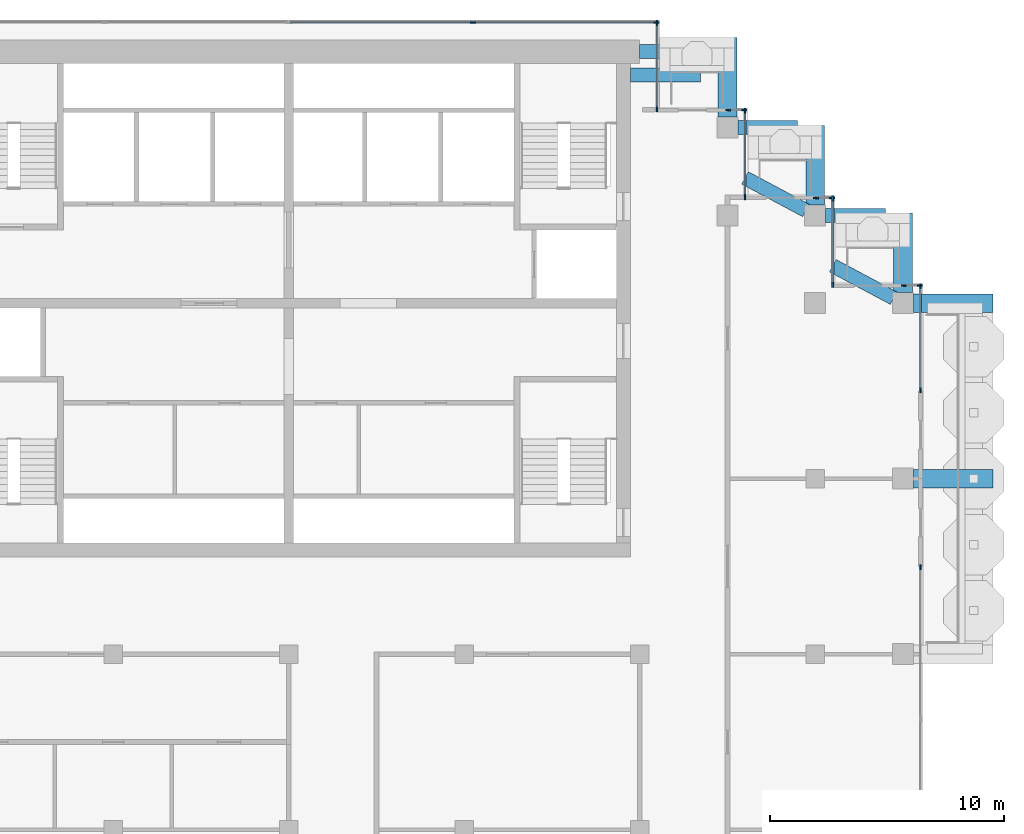
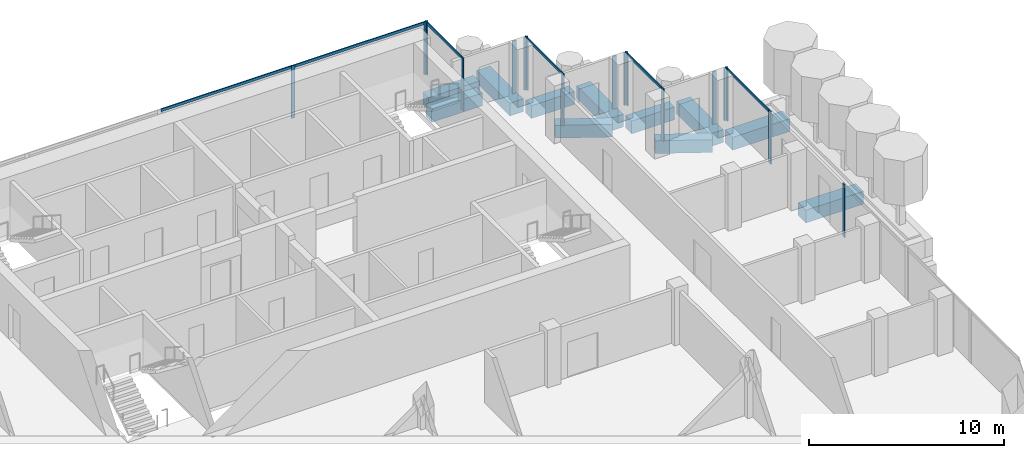
# One storey, part 6 of 18: 23 members, 11 beams, 9 elements without a shape of their own.
"""IFC4 building model written with IfcOpenShell, lengths in metres."""

import ifcopenshell
import ifcopenshell.guid

model = None  # the IFC model being written
_history = None  # IfcOwnerHistory: only IFC2X3 demands one
_inside = {}  # id of a spatial element -> (the spatial element, [elements in it])
_under = {}  # id of a project, library or spatial element -> (it, [spatial elements below it])
_declared = {}  # id of a project -> (the project, [libraries it declares])
_typed = {}  # id of a type object -> (the type object, [elements of that type])
_made_of = {}  # id of a material, layer set ... -> (it, [elements and type objects made of it])


def new_model(schema):
    """Start an empty IFC model of exactly this schema.

    Asked for "IFC4X3", IfcOpenShell would pick the latest addendum, in which some entities
    have other attributes; the version numbers below select the first issue.
    IFC2X3 requires an IfcOwnerHistory on every rooted entity: one is made here for all.
    """
    global model, _history
    if schema == "IFC4X3":
        model = ifcopenshell.file(schema_version=(4, 3, 0, 0))
    else:
        model = ifcopenshell.file(schema=schema)
    _inside.clear()
    _under.clear()
    _declared.clear()
    _typed.clear()
    _made_of.clear()
    _history = None
    if model.schema == "IFC2X3":
        org = make("IfcOrganization", Name="unknown")
        user = make(
            "IfcPersonAndOrganization",
            ThePerson=make("IfcPerson", FamilyName="unknown"),
            TheOrganization=org,
        )
        app = make(
            "IfcApplication",
            ApplicationDeveloper=org,
            Version="unknown",
            ApplicationFullName="unknown",
            ApplicationIdentifier="unknown",
        )
        _history = make(
            "IfcOwnerHistory",
            OwningUser=user,
            OwningApplication=app,
            ChangeAction="ADDED",
            CreationDate=0,
        )
    return model


def make(cls, **values):
    """One entity of the class cls with the attributes given. An attribute that is None is left unset."""
    return model.create_entity(
        cls, **{name: value for name, value in values.items() if value is not None}
    )


def rooted(cls, **values):
    """An entity with a GlobalId (a new one), such as an element, a storey or a relation."""
    return make(cls, GlobalId=ifcopenshell.guid.new(), OwnerHistory=_history, **values)


def si_unit(unit_type, name, prefix=None):
    """IfcSIUnit, for example si_unit("LENGTHUNIT", "METRE", prefix="MILLI")."""
    return make("IfcSIUnit", UnitType=unit_type, Prefix=prefix, Name=name)


def assignment(units):
    """IfcUnitAssignment: the units of a project."""
    return None if units is None else make("IfcUnitAssignment", Units=units)


def point(xyz):
    """IfcCartesianPoint."""
    return None if xyz is None else make("IfcCartesianPoint", Coordinates=xyz)


def direction(xyz):
    """IfcDirection."""
    return None if xyz is None else make("IfcDirection", DirectionRatios=xyz)


def frame(location, z_axis=None, x_axis=None):
    """IfcAxis2Placement3D, a coordinate frame: its origin and axes. An axis left out is left unset."""
    return make(
        "IfcAxis2Placement3D",
        Location=point(location),
        Axis=direction(z_axis),
        RefDirection=direction(x_axis),
    )


def frame_2d(location, x_axis=None):
    """IfcAxis2Placement2D, a coordinate frame in the plane: its origin and x axis."""
    return make(
        "IfcAxis2Placement2D", Location=point(location), RefDirection=direction(x_axis)
    )


def origin():
    """The frame at (0, 0, 0) with its axes left unset."""
    return frame((0.0, 0.0, 0.0))


def origin_2d():
    """The frame at (0, 0) in the plane with its x axis left unset."""
    return frame_2d((0.0, 0.0))


def place(relative_to, where):
    """IfcLocalPlacement: puts the frame where relative to a parent placement (None: the world)."""
    return make(
        "IfcLocalPlacement", PlacementRelTo=relative_to, RelativePlacement=where
    )


def context(
    kind, dimensions, precision=None, world=None, true_north=None, identifier=None
):
    """IfcGeometricRepresentationContext, for example the 3D "Model" context."""
    return make(
        "IfcGeometricRepresentationContext",
        ContextIdentifier=identifier,
        ContextType=kind,
        CoordinateSpaceDimension=dimensions,
        Precision=precision,
        WorldCoordinateSystem=world,
        TrueNorth=true_north,
    )


def subcontext(parent, identifier, kind, view, scale=None):
    """IfcGeometricRepresentationSubContext, for example "Body" below "Model"."""
    return make(
        "IfcGeometricRepresentationSubContext",
        ContextIdentifier=identifier,
        ContextType=kind,
        ParentContext=parent,
        TargetScale=scale,
        TargetView=view,
    )


def project(units=None, contexts=None):
    """IfcProject with its units and contexts."""
    return rooted(
        "IfcProject",
        Name="project",
        RepresentationContexts=contexts,
        UnitsInContext=assignment(units),
    )


def spatial(cls, under=None, at=None, **own):
    """A site, building, storey or space (cls), placed at a placement, below another one or the project."""
    s = rooted(cls, ObjectPlacement=at, **own)
    if under is not None:
        _under.setdefault(under.id(), (under, []))[1].append(s)
    return s


def profile(cls, at=None, kind="AREA", **sizes):
    """A parametric profile (cls). Its sizes go by their IFC names, for example OverallWidth=200.0."""
    return make(cls, ProfileType=kind, Position=at, **sizes)


def rectangle(**sizes):
    """IfcRectangleProfileDef."""
    return profile("IfcRectangleProfileDef", **sizes)


def extrude(swept, where, along, depth):
    """IfcExtrudedAreaSolid: the profile swept, set in the frame where, extruded along a direction by depth."""
    return make(
        "IfcExtrudedAreaSolid",
        SweptArea=swept,
        Position=where,
        ExtrudedDirection=direction(along),
        Depth=depth,
    )


def shape(context_of_items, identifier, shape_type, items):
    """IfcShapeRepresentation: the items that make up one representation, for example the "Body"."""
    return make(
        "IfcShapeRepresentation",
        ContextOfItems=context_of_items,
        RepresentationIdentifier=identifier,
        RepresentationType=shape_type,
        Items=items,
    )


def material(Name=None, Category=None):
    """IfcMaterial."""
    return make("IfcMaterial", Name=Name, Category=Category)


def material_profile(
    of_material, cross_section, Name=None, Category=None, Priority=None
):
    """IfcMaterialProfile: a cross section and its material."""
    return make(
        "IfcMaterialProfile",
        Name=Name,
        Material=of_material,
        Profile=cross_section,
        Priority=Priority,
        Category=Category,
    )


def profile_set(profiles, Name=None, composite=None):
    """IfcMaterialProfileSet."""
    return make(
        "IfcMaterialProfileSet",
        Name=Name,
        MaterialProfiles=profiles,
        CompositeProfile=composite,
    )


def made_of(thing, what):
    """Note that an element or type object is made of a material, layer set ...; save() writes the relation."""
    if what is not None:
        _made_of.setdefault(what.id(), (what, []))[1].append(thing)
    return thing


def type_object(cls, material=None, **own):
    """A type object (cls), such as IfcWallType, which elements share."""
    return made_of(rooted(cls, **own), material)


def element(
    cls,
    number,
    at=None,
    inside=None,
    cuts=None,
    type_object=None,
    material=None,
    context=None,
    identifier="Body",
    shape_type=None,
    held_by="IfcProductDefinitionShape",
    body=None,
    shapes=None,
    **own,
):
    """One element of the class cls, such as IfcWall. Its Tag is "e" and its number.

    at: its placement. inside: the storey or other place that contains it. cuts: it is an
    opening in that element (IfcRelVoidsElement). A single representation is given by context,
    identifier, shape_type and body (its items); several are given by shapes. held_by: the class
    of the entity that holds the representations. save() writes the other relations.
    """
    e = rooted(cls, Tag="e%d" % number, ObjectPlacement=at, **own)
    if body is not None:
        shapes = [shape(context, identifier, shape_type, body)]
    if shapes is not None:
        e.Representation = make(held_by, Representations=shapes)
    if inside is not None:
        _inside.setdefault(inside.id(), (inside, []))[1].append(e)
    if cuts is not None:
        rooted(
            "IfcRelVoidsElement", RelatingBuildingElement=cuts, RelatedOpeningElement=e
        )
    if type_object is not None:
        _typed.setdefault(type_object.id(), (type_object, []))[1].append(e)
    return made_of(e, material)


def aggregate(whole, parts):
    """IfcRelAggregates: a whole, such as a stair, and the parts it consists of."""
    return rooted("IfcRelAggregates", RelatingObject=whole, RelatedObjects=parts)


def save(model, path):
    """Write the relations noted so far, then the file.

    IfcRelAggregates (storeys below a building ...), IfcRelContainedInSpatialStructure (elements
    in a storey), IfcRelDefinesByType, IfcRelAssociatesMaterial and IfcRelDeclares: one each for
    every whole, place, type object, material and project.
    """
    for whole, parts in _under.values():
        aggregate(whole, parts)
    for where, things in _inside.values():
        rooted(
            "IfcRelContainedInSpatialStructure",
            RelatedElements=things,
            RelatingStructure=where,
        )
    for kind, things in _typed.values():
        rooted("IfcRelDefinesByType", RelatedObjects=things, RelatingType=kind)
    for what, things in _made_of.values():
        rooted("IfcRelAssociatesMaterial", RelatedObjects=things, RelatingMaterial=what)
    for by, libraries in _declared.values():
        rooted("IfcRelDeclares", RelatingContext=by, RelatedDefinitions=libraries)
    model.write(path)


model = new_model("IFC4")

# Units and contexts
model_context = context("Model", 3, precision=1e-05, world=origin(), true_north=direction((0.0, 1.0)))
body_context = subcontext(model_context, "Body", "Model", "MODEL_VIEW")
ifc_project = project(units=[si_unit("LENGTHUNIT", "METRE"), si_unit("AREAUNIT", "SQUARE_METRE"), si_unit("VOLUMEUNIT", "CUBIC_METRE"), si_unit("PLANEANGLEUNIT", "RADIAN"), si_unit("MASSUNIT", "GRAM", prefix="KILO")], contexts=[model_context])

# Site, building, storey
site_placement = place(None, origin())
site = spatial("IfcSite", under=ifc_project, at=site_placement, CompositionType="ELEMENT")
building_placement = place(site_placement, origin())
building = spatial("IfcBuilding", under=site, at=building_placement, Name="Pilkhan Gate Tower", CompositionType="ELEMENT")
storey_placement = place(building_placement, frame((0.0, 0.0, 231.89990234375)))
storey = spatial("IfcBuildingStorey", under=building, at=storey_placement, Name="L60", CompositionType="ELEMENT", Elevation=231.89990234375)

# Beams
ifc_material_1 = material(Name="Concrete C50/60", Category="concrete")
ifc_material_profile_1 = material_profile(ifc_material_1, rectangle(XDim=0.60009765625, YDim=0.800048828125, at=origin_2d()), Name="RC 600x800")
ifc_profile_set_1 = profile_set([ifc_material_profile_1], Name="Concrete C50/60")
beam_type_1 = type_object("IfcBeamType", Name="Cantilever beam CB1 RC 600x800 C50/60", PredefinedType="BEAM", material=ifc_profile_set_1)
for number, where, z_axis, x_axis, name in (
    (1, (90.0, 93.25, -0.699951171875), (1.0, 0.0, 0.0), (0.0, 1.0, 0.0), "Balcony beam NE.2 L60"),
    (2, (89.60009765625, 92.25, -0.699951171875), (1.0, 0.0, 0.0), (0.0, 1.0, 0.0), "Balcony beam NE.3 L60"),
):
    element("IfcBeam", number, at=place(storey_placement, frame(where, z_axis=z_axis, x_axis=x_axis)), inside=storey, type_object=beam_type_1, Name=name, PredefinedType="BEAM", context=body_context, shape_type="SweptSolid", body=[
        extrude(rectangle(XDim=0.60009765625, YDim=0.800048828125, at=origin_2d()), origin(), (0.0, 0.0, 1.0), 3.0),
    ])
beam_1_placement = place(storey_placement, frame((94.199951171875, 90.0, -0.699951171875), z_axis=(1.0, 0.0, 0.0), x_axis=(0.0, 1.0, 0.0)))
element("IfcBeam", 3, at=beam_1_placement, inside=storey, type_object=beam_type_1, Name="Balcony beam NE1.2 L60", PredefinedType="BEAM", context=body_context, shape_type="SweptSolid", body=[
    extrude(rectangle(XDim=0.60009765625, YDim=0.800048828125, at=origin_2d()), origin(), (0.0, 0.0, 1.0), 2.550048828125),
])
beam_2_placement = place(storey_placement, frame((97.10302734375, 86.461669921875, -0.699951171875), z_axis=(-0.882332323202, 0.470626891957, 0.0), x_axis=(-0.470626891957, -0.882332323202, 0.0)))
element("IfcBeam", 4, at=beam_2_placement, inside=storey, type_object=beam_type_1, Name="Balcony beam NE1.3 L60", PredefinedType="BEAM", context=body_context, shape_type="SweptSolid", body=[
    extrude(rectangle(XDim=0.60009765625, YDim=0.800048828125, at=origin_2d()), origin(), (0.0, 0.0, 1.0), 2.9501953125),
])
beam_3_placement = place(storey_placement, frame((97.949951171875, 86.25, -0.699951171875), z_axis=(1.0, 0.0, 0.0), x_axis=(0.0, 1.0, 0.0)))
element("IfcBeam", 5, at=beam_3_placement, inside=storey, type_object=beam_type_1, Name="Balcony beam NE2.2 L60", PredefinedType="BEAM", context=body_context, shape_type="SweptSolid", body=[
    extrude(rectangle(XDim=0.60009765625, YDim=0.800048828125, at=origin_2d()), origin(), (0.0, 0.0, 1.0), 2.550048828125),
])
beam_4_placement = place(storey_placement, frame((100.85302734375, 82.711669921875, -0.699951171875), z_axis=(-0.882332323202, 0.470626891957, 0.0), x_axis=(-0.470626891957, -0.882332323202, 0.0)))
element("IfcBeam", 6, at=beam_4_placement, inside=storey, type_object=beam_type_1, Name="Balcony beam NE2.3 L60", PredefinedType="BEAM", context=body_context, shape_type="SweptSolid", body=[
    extrude(rectangle(XDim=0.60009765625, YDim=0.800048828125, at=origin_2d()), origin(), (0.0, 0.0, 1.0), 2.9501953125),
])
ifc_material_profile_2 = material_profile(ifc_material_1, rectangle(XDim=0.800048828125, YDim=0.800048828125, at=origin_2d()), Name="RC 800x800")
ifc_profile_set_2 = profile_set([ifc_material_profile_2], Name="Concrete C50/60")
beam_type_2 = type_object("IfcBeamType", Name="Cantilever beam CB2 RC 800x800 C50/60", PredefinedType="BEAM", material=ifc_profile_set_2)
for number, where, z_axis, x_axis, name in (
    (7, (101.699951171875, 75.0, -0.699951171875), (1.0, 0.0, 0.0), (0.0, 1.0, 0.0), "Balcony beam E.2 L60"),
    (8, (101.699951171875, 82.5, -0.699951171875), (1.0, 0.0, 0.0), (0.0, 1.0, 0.0), "Balcony beam E.3 L60"),
    (9, (93.75, 90.449951171875, -0.699951171875), (0.0, 1.0, 0.0), (-1.0, 0.0, 0.0), "Balcony beam NE.1 L60"),
    (10, (97.5, 86.699951171875, -0.699951171875), (0.0, 1.0, 0.0), (-1.0, 0.0, 0.0), "Balcony beam NE1.1 L60"),
    (11, (101.25, 82.949951171875, -0.699951171875), (0.0, 1.0, 0.0), (-1.0, 0.0, 0.0), "Balcony beam NE2.1 L60"),
):
    element("IfcBeam", number, at=place(storey_placement, frame(where, z_axis=z_axis, x_axis=x_axis)), inside=storey, type_object=beam_type_2, Name=name, PredefinedType="BEAM", context=body_context, shape_type="SweptSolid", body=[
        extrude(rectangle(XDim=0.800048828125, YDim=0.800048828125, at=origin_2d()), origin(), (0.0, 0.0, 1.0), 3.400146484375),
    ])

# Curtain wall, member
ifc_material_2 = material(Name="Pale anodised aluminium, clear low-iron double glazing", Category="aluminium")
curtain_wall_type = type_object("IfcCurtainWallType", Name="Office unitised curtain wall CW-O2", PredefinedType="USERDEFINED", material=ifc_material_2)
curtain_wall_1_placement = place(storey_placement, origin())
curtain_wall_1 = element("IfcCurtainWall", 12, at=curtain_wall_1_placement, inside=storey, type_object=curtain_wall_type, Name="Office unitised curtain wall CW-O2 L60 E", ObjectType="UNITISED CURTAIN WALL", PredefinedType="USERDEFINED")
ifc_material_3 = material(Name="Pale anodised aluminium", Category="aluminium")
ifc_material_profile_3 = material_profile(ifc_material_3, rectangle(XDim=0.06494140625, YDim=0.22509765625, at=origin_2d()), Name="Mullion 225x65")
ifc_profile_set_3 = profile_set([ifc_material_profile_3], Name="Pale anodised aluminium")
member_type_1 = type_object("IfcMemberType", Name="Mullion CW-O2 225x65", PredefinedType="MULLION", material=ifc_profile_set_3)
member_1_placement = place(storey_placement, frame((102.0, 71.217529296875, 0.0), z_axis=(0.0, 0.0, 1.0), x_axis=(-1.0, 0.0, 0.0)))
member_1 = element("IfcMember", 13, at=member_1_placement, type_object=member_type_1, Name="CW-O2 mullion 2", PredefinedType="MULLION", context=body_context, shape_type="SweptSolid", body=[
    extrude(rectangle(XDim=0.06494140625, YDim=0.22509765625, at=origin_2d()), origin(), (0.0, 0.0, 1.0), 3.300048828125),
])
aggregate(curtain_wall_1, [member_1])

# Curtain wall, members
curtain_wall_2_placement = place(storey_placement, origin())
curtain_wall_2 = element("IfcCurtainWall", 14, at=curtain_wall_2_placement, inside=storey, type_object=curtain_wall_type, Name="Office unitised curtain wall CW-O2 L60 E", ObjectType="UNITISED CURTAIN WALL", PredefinedType="USERDEFINED")
member_2_placement = place(storey_placement, frame((102.0, 78.782470703125, 0.0), z_axis=(0.0, 0.0, 1.0), x_axis=(-1.0, 0.0, 0.0)))
member_2 = element("IfcMember", 15, at=member_2_placement, type_object=member_type_1, Name="CW-O2 mullion 1", PredefinedType="MULLION", context=body_context, shape_type="SweptSolid", body=[
    extrude(rectangle(XDim=0.06494140625, YDim=0.22509765625, at=origin_2d()), origin(), (0.0, 0.0, 1.0), 3.300048828125),
])
member_3_placement = place(storey_placement, frame((102.0, 83.217529296875, 0.0), z_axis=(0.0, 0.0, 1.0), x_axis=(-1.0, 0.0, 0.0)))
member_3 = element("IfcMember", 16, at=member_3_placement, type_object=member_type_1, Name="CW-O2 mullion 2", PredefinedType="MULLION", context=body_context, shape_type="SweptSolid", body=[
    extrude(rectangle(XDim=0.06494140625, YDim=0.22509765625, at=origin_2d()), origin(), (0.0, 0.0, 1.0), 3.300048828125),
])

curtain_wall_3_placement = place(storey_placement, origin())
curtain_wall_3 = element("IfcCurtainWall", 17, at=curtain_wall_3_placement, inside=storey, type_object=curtain_wall_type, Name="Office unitised curtain wall CW-O2 L60 N", ObjectType="UNITISED CURTAIN WALL", PredefinedType="USERDEFINED")
member_4_placement = place(storey_placement, frame((101.282470703125, 83.25, 0.0), z_axis=(0.0, 0.0, 1.0), x_axis=(0.0, 1.0, 0.0)))
member_4 = element("IfcMember", 18, at=member_4_placement, type_object=member_type_1, Name="CW-O2 mullion 1", PredefinedType="MULLION", context=body_context, shape_type="SweptSolid", body=[
    extrude(rectangle(XDim=0.06494140625, YDim=0.22509765625, at=origin_2d()), origin(), (0.0, 0.0, 1.0), 3.300048828125),
])
member_5_placement = place(storey_placement, frame((101.967529296875, 83.25, 0.0), z_axis=(0.0, 0.0, 1.0), x_axis=(0.0, 1.0, 0.0)))
member_5 = element("IfcMember", 19, at=member_5_placement, type_object=member_type_1, Name="CW-O2 mullion 2", PredefinedType="MULLION", context=body_context, shape_type="SweptSolid", body=[
    extrude(rectangle(XDim=0.06494140625, YDim=0.22509765625, at=origin_2d()), origin(), (0.0, 0.0, 1.0), 3.300048828125),
])
aggregate(curtain_wall_3, [member_4, member_5])

curtain_wall_4_placement = place(storey_placement, origin())
curtain_wall_4 = element("IfcCurtainWall", 20, at=curtain_wall_4_placement, inside=storey, type_object=curtain_wall_type, Name="Office unitised curtain wall CW-O2 L60 E", ObjectType="UNITISED CURTAIN WALL", PredefinedType="USERDEFINED")
member_6_placement = place(storey_placement, frame((98.25, 83.282470703125, 0.0), z_axis=(0.0, 0.0, 1.0), x_axis=(-1.0, 0.0, 0.0)))
member_6 = element("IfcMember", 21, at=member_6_placement, type_object=member_type_1, Name="CW-O2 mullion 1", PredefinedType="MULLION", context=body_context, shape_type="SweptSolid", body=[
    extrude(rectangle(XDim=0.06494140625, YDim=0.22509765625, at=origin_2d()), origin(), (0.0, 0.0, 1.0), 3.300048828125),
])
member_7_placement = place(storey_placement, frame((98.25, 86.967529296875, 0.0), z_axis=(0.0, 0.0, 1.0), x_axis=(-1.0, 0.0, 0.0)))
member_7 = element("IfcMember", 22, at=member_7_placement, type_object=member_type_1, Name="CW-O2 mullion 2", PredefinedType="MULLION", context=body_context, shape_type="SweptSolid", body=[
    extrude(rectangle(XDim=0.06494140625, YDim=0.22509765625, at=origin_2d()), origin(), (0.0, 0.0, 1.0), 3.300048828125),
])

curtain_wall_5_placement = place(storey_placement, origin())
curtain_wall_5 = element("IfcCurtainWall", 23, at=curtain_wall_5_placement, inside=storey, type_object=curtain_wall_type, Name="Office unitised curtain wall CW-O2 L60 N", ObjectType="UNITISED CURTAIN WALL", PredefinedType="USERDEFINED")
member_8_placement = place(storey_placement, frame((97.532470703125, 87.0, 0.0), z_axis=(0.0, 0.0, 1.0), x_axis=(0.0, 1.0, 0.0)))
member_8 = element("IfcMember", 24, at=member_8_placement, type_object=member_type_1, Name="CW-O2 mullion 1", PredefinedType="MULLION", context=body_context, shape_type="SweptSolid", body=[
    extrude(rectangle(XDim=0.06494140625, YDim=0.22509765625, at=origin_2d()), origin(), (0.0, 0.0, 1.0), 3.300048828125),
])
member_9_placement = place(storey_placement, frame((98.217529296875, 87.0, 0.0), z_axis=(0.0, 0.0, 1.0), x_axis=(0.0, 1.0, 0.0)))
member_9 = element("IfcMember", 25, at=member_9_placement, type_object=member_type_1, Name="CW-O2 mullion 2", PredefinedType="MULLION", context=body_context, shape_type="SweptSolid", body=[
    extrude(rectangle(XDim=0.06494140625, YDim=0.22509765625, at=origin_2d()), origin(), (0.0, 0.0, 1.0), 3.300048828125),
])
aggregate(curtain_wall_5, [member_8, member_9])

curtain_wall_6_placement = place(storey_placement, origin())
curtain_wall_6 = element("IfcCurtainWall", 26, at=curtain_wall_6_placement, inside=storey, type_object=curtain_wall_type, Name="Office unitised curtain wall CW-O2 L60 E", ObjectType="UNITISED CURTAIN WALL", PredefinedType="USERDEFINED")
member_10_placement = place(storey_placement, frame((94.5, 87.032470703125, 0.0), z_axis=(0.0, 0.0, 1.0), x_axis=(-1.0, 0.0, 0.0)))
member_10 = element("IfcMember", 27, at=member_10_placement, type_object=member_type_1, Name="CW-O2 mullion 1", PredefinedType="MULLION", context=body_context, shape_type="SweptSolid", body=[
    extrude(rectangle(XDim=0.06494140625, YDim=0.22509765625, at=origin_2d()), origin(), (0.0, 0.0, 1.0), 3.300048828125),
])
member_11_placement = place(storey_placement, frame((94.5, 90.717529296875, 0.0), z_axis=(0.0, 0.0, 1.0), x_axis=(-1.0, 0.0, 0.0)))
member_11 = element("IfcMember", 28, at=member_11_placement, type_object=member_type_1, Name="CW-O2 mullion 2", PredefinedType="MULLION", context=body_context, shape_type="SweptSolid", body=[
    extrude(rectangle(XDim=0.06494140625, YDim=0.22509765625, at=origin_2d()), origin(), (0.0, 0.0, 1.0), 3.300048828125),
])

curtain_wall_7_placement = place(storey_placement, origin())
curtain_wall_7 = element("IfcCurtainWall", 29, at=curtain_wall_7_placement, inside=storey, type_object=curtain_wall_type, Name="Office unitised curtain wall CW-O2 L60 N", ObjectType="UNITISED CURTAIN WALL", PredefinedType="USERDEFINED")
member_12_placement = place(storey_placement, frame((93.782470703125, 90.75, 0.0), z_axis=(0.0, 0.0, 1.0), x_axis=(0.0, 1.0, 0.0)))
member_12 = element("IfcMember", 30, at=member_12_placement, type_object=member_type_1, Name="CW-O2 mullion 1", PredefinedType="MULLION", context=body_context, shape_type="SweptSolid", body=[
    extrude(rectangle(XDim=0.06494140625, YDim=0.22509765625, at=origin_2d()), origin(), (0.0, 0.0, 1.0), 3.300048828125),
])
member_13_placement = place(storey_placement, frame((94.467529296875, 90.75, 0.0), z_axis=(0.0, 0.0, 1.0), x_axis=(0.0, 1.0, 0.0)))
member_13 = element("IfcMember", 31, at=member_13_placement, type_object=member_type_1, Name="CW-O2 mullion 2", PredefinedType="MULLION", context=body_context, shape_type="SweptSolid", body=[
    extrude(rectangle(XDim=0.06494140625, YDim=0.22509765625, at=origin_2d()), origin(), (0.0, 0.0, 1.0), 3.300048828125),
])
aggregate(curtain_wall_7, [member_12, member_13])

curtain_wall_8_placement = place(storey_placement, origin())
curtain_wall_8 = element("IfcCurtainWall", 32, at=curtain_wall_8_placement, inside=storey, type_object=curtain_wall_type, Name="Office unitised curtain wall CW-O2 L60 E", ObjectType="UNITISED CURTAIN WALL", PredefinedType="USERDEFINED")
member_14_placement = place(storey_placement, frame((90.75, 90.782470703125, 0.0), z_axis=(0.0, 0.0, 1.0), x_axis=(-1.0, 0.0, 0.0)))
member_14 = element("IfcMember", 33, at=member_14_placement, type_object=member_type_1, Name="CW-O2 mullion 1", PredefinedType="MULLION", context=body_context, shape_type="SweptSolid", body=[
    extrude(rectangle(XDim=0.06494140625, YDim=0.22509765625, at=origin_2d()), origin(), (0.0, 0.0, 1.0), 3.300048828125),
])
member_15_placement = place(storey_placement, frame((90.75, 94.467529296875, 0.0), z_axis=(0.0, 0.0, 1.0), x_axis=(-1.0, 0.0, 0.0)))
member_15 = element("IfcMember", 34, at=member_15_placement, type_object=member_type_1, Name="CW-O2 mullion 2", PredefinedType="MULLION", context=body_context, shape_type="SweptSolid", body=[
    extrude(rectangle(XDim=0.06494140625, YDim=0.22509765625, at=origin_2d()), origin(), (0.0, 0.0, 1.0), 3.300048828125),
])

curtain_wall_9_placement = place(storey_placement, origin())
curtain_wall_9 = element("IfcCurtainWall", 35, at=curtain_wall_9_placement, inside=storey, type_object=curtain_wall_type, Name="Office unitised curtain wall CW-O2 L60 N", ObjectType="UNITISED CURTAIN WALL", PredefinedType="USERDEFINED")
member_16_placement = place(storey_placement, frame((82.875, 94.5, 0.0), z_axis=(0.0, 0.0, 1.0), x_axis=(0.0, 1.0, 0.0)))
member_16 = element("IfcMember", 36, at=member_16_placement, type_object=member_type_1, Name="CW-O2 mullion 2", PredefinedType="MULLION", context=body_context, shape_type="SweptSolid", body=[
    extrude(rectangle(XDim=0.06494140625, YDim=0.22509765625, at=origin_2d()), origin(), (0.0, 0.0, 1.0), 3.300048828125),
])
member_17_placement = place(storey_placement, frame((90.717529296875, 94.5, 0.0), z_axis=(0.0, 0.0, 1.0), x_axis=(0.0, 1.0, 0.0)))
member_17 = element("IfcMember", 37, at=member_17_placement, type_object=member_type_1, Name="CW-O2 mullion 3", PredefinedType="MULLION", context=body_context, shape_type="SweptSolid", body=[
    extrude(rectangle(XDim=0.06494140625, YDim=0.22509765625, at=origin_2d()), origin(), (0.0, 0.0, 1.0), 3.300048828125),
])

# Member
ifc_material_profile_4 = material_profile(ifc_material_3, rectangle(XDim=0.06494140625, YDim=0.1650390625, at=origin_2d()), Name="Transom 165x65")
ifc_profile_set_4 = profile_set([ifc_material_profile_4], Name="Pale anodised aluminium")
member_type_2 = type_object("IfcMemberType", Name="Transom CW-O2 165x65", PredefinedType="USERDEFINED", material=ifc_profile_set_4)
member_18_placement = place(storey_placement, frame((102.0, 78.81494140625, 3.217529296875), z_axis=(0.0, 1.0, 0.0), x_axis=(-1.0, 0.0, 0.0)))
member_18 = element("IfcMember", 38, at=member_18_placement, type_object=member_type_2, Name="CW-O2 transom 1", ObjectType="TRANSOM", PredefinedType="USERDEFINED", context=body_context, shape_type="SweptSolid", body=[
    extrude(rectangle(XDim=0.06494140625, YDim=0.1650390625, at=origin_2d()), origin(), (0.0, 0.0, 1.0), 4.3701171875),
])

aggregate(curtain_wall_2, [member_2, member_3, member_18])

member_19_placement = place(storey_placement, frame((98.25, 83.31494140625, 3.217529296875), z_axis=(0.0, 1.0, 0.0), x_axis=(-1.0, 0.0, 0.0)))
member_19 = element("IfcMember", 39, at=member_19_placement, type_object=member_type_2, Name="CW-O2 transom 1", ObjectType="TRANSOM", PredefinedType="USERDEFINED", context=body_context, shape_type="SweptSolid", body=[
    extrude(rectangle(XDim=0.06494140625, YDim=0.1650390625, at=origin_2d()), origin(), (0.0, 0.0, 1.0), 3.6201171875),
])

aggregate(curtain_wall_4, [member_6, member_7, member_19])

member_20_placement = place(storey_placement, frame((94.5, 87.06494140625, 3.217529296875), z_axis=(0.0, 1.0, 0.0), x_axis=(-1.0, 0.0, 0.0)))
member_20 = element("IfcMember", 40, at=member_20_placement, type_object=member_type_2, Name="CW-O2 transom 1", ObjectType="TRANSOM", PredefinedType="USERDEFINED", context=body_context, shape_type="SweptSolid", body=[
    extrude(rectangle(XDim=0.06494140625, YDim=0.1650390625, at=origin_2d()), origin(), (0.0, 0.0, 1.0), 3.6201171875),
])

aggregate(curtain_wall_6, [member_10, member_11, member_20])

member_21_placement = place(storey_placement, frame((90.75, 90.81494140625, 3.217529296875), z_axis=(0.0, 1.0, 0.0), x_axis=(-1.0, 0.0, 0.0)))
member_21 = element("IfcMember", 41, at=member_21_placement, type_object=member_type_2, Name="CW-O2 transom 1", ObjectType="TRANSOM", PredefinedType="USERDEFINED", context=body_context, shape_type="SweptSolid", body=[
    extrude(rectangle(XDim=0.06494140625, YDim=0.1650390625, at=origin_2d()), origin(), (0.0, 0.0, 1.0), 3.6201171875),
])

aggregate(curtain_wall_8, [member_14, member_15, member_21])

member_22_placement = place(storey_placement, frame((75.06494140625, 94.5, 3.217529296875), z_axis=(1.0, 0.0, 0.0), x_axis=(0.0, 1.0, 0.0)))
member_22 = element("IfcMember", 42, at=member_22_placement, type_object=member_type_2, Name="CW-O2 transom 1", ObjectType="TRANSOM", PredefinedType="USERDEFINED", context=body_context, shape_type="SweptSolid", body=[
    extrude(rectangle(XDim=0.06494140625, YDim=0.1650390625, at=origin_2d()), origin(), (0.0, 0.0, 1.0), 7.777587890625),
])

member_23_placement = place(storey_placement, frame((82.907470703125, 94.5, 3.217529296875), z_axis=(1.0, 0.0, 0.0), x_axis=(0.0, 1.0, 0.0)))
member_23 = element("IfcMember", 43, at=member_23_placement, type_object=member_type_2, Name="CW-O2 transom 2", ObjectType="TRANSOM", PredefinedType="USERDEFINED", context=body_context, shape_type="SweptSolid", body=[
    extrude(rectangle(XDim=0.06494140625, YDim=0.1650390625, at=origin_2d()), origin(), (0.0, 0.0, 1.0), 7.777587890625),
])

aggregate(curtain_wall_9, [member_16, member_17, member_22, member_23])

save(model, "model.ifc")
